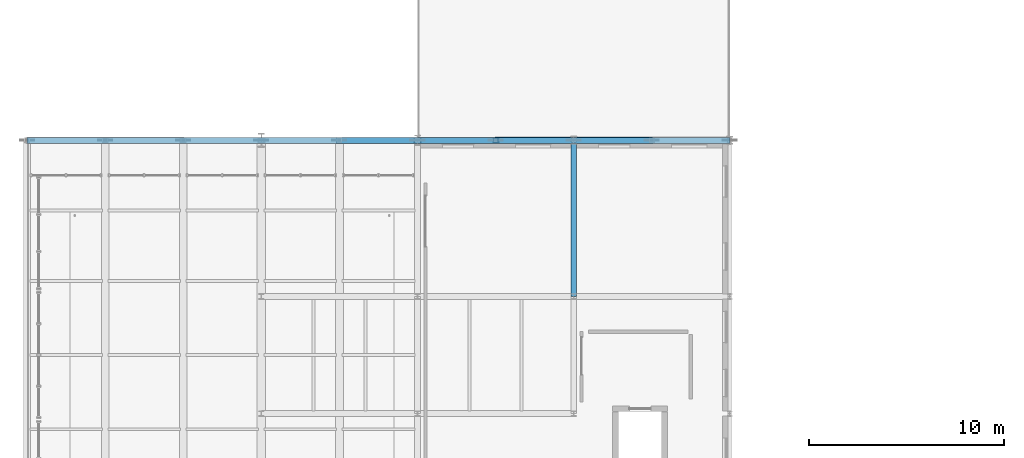
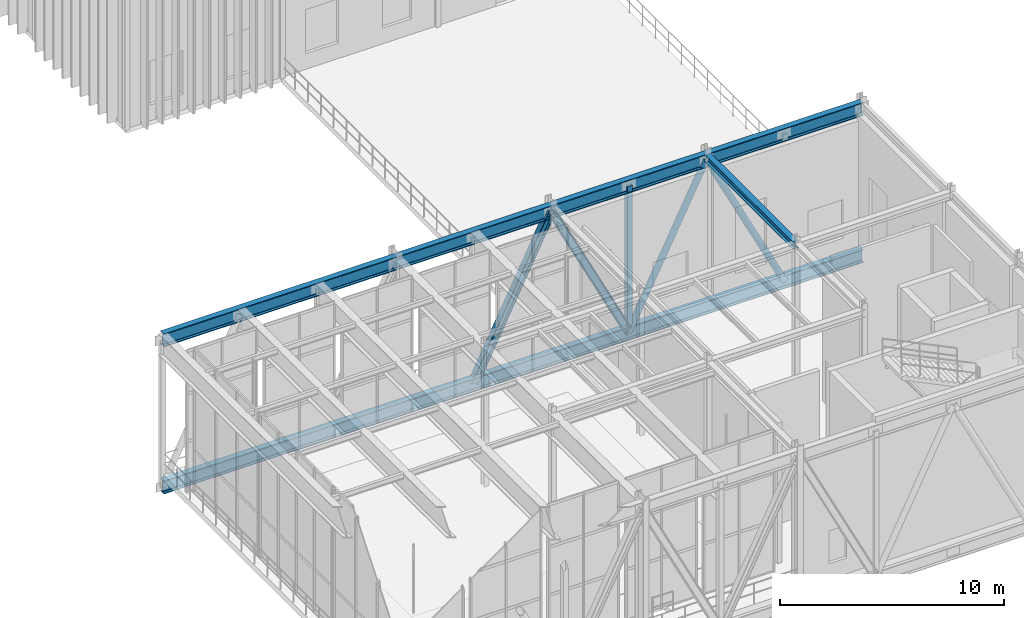
# One storey, part 34 of 138: 7 members, 1 beam.
"""IFC4 building model written with IfcOpenShell, lengths in metres."""

from ifc_helpers import new_model, si_unit, direction, frame, origin, origin_2d, place, context, subcontext, project, spatial, hollow_rectangle, hollow_circle, i_section, extrude, material, material_profile, profile_set, type_object, element, save


model = new_model("IFC4")

# Units and contexts
model_context = context("Model", 3, precision=1e-05, world=origin(), true_north=direction((0.0, 1.0)))
body_context = subcontext(model_context, "Body", "Model", "MODEL_VIEW")
ifc_project = project(units=[si_unit("LENGTHUNIT", "METRE"), si_unit("AREAUNIT", "SQUARE_METRE"), si_unit("VOLUMEUNIT", "CUBIC_METRE"), si_unit("PLANEANGLEUNIT", "RADIAN"), si_unit("MASSUNIT", "GRAM", prefix="KILO")], contexts=[model_context])

# Site, building, storey
site_placement = place(None, origin())
site = spatial("IfcSite", under=ifc_project, at=site_placement, CompositionType="ELEMENT")
building_placement = place(site_placement, origin())
building = spatial("IfcBuilding", under=site, at=building_placement, Name="Sundkrona Museum", CompositionType="ELEMENT")
storey_placement = place(building_placement, frame((0.0, 0.0, 9.60009765625)))
storey = spatial("IfcBuildingStorey", under=building, at=storey_placement, Name="L02", CompositionType="ELEMENT", Elevation=9.60009765625)

# Beam
ifc_material_1 = material(Name="Steel S355J2", Category="steel")
ifc_material_profile_1 = material_profile(ifc_material_1, i_section(OverallWidth=0.300048828125, OverallDepth=0.389892578125, WebThickness=0.010986328125, FlangeThickness=0.01904296875, FilletRadius=0.027099609375, at=origin_2d()), Name="HEA 400")
ifc_profile_set_1 = profile_set([ifc_material_profile_1], Name="Steel S355J2")
beam_type = type_object("IfcBeamType", Name="B-HEA400", PredefinedType="BEAM", material=ifc_profile_set_1)
beam_placement = place(storey_placement, frame((32.0, 46.0, 7.47998046875), z_axis=(0.0, 1.0, 0.0), x_axis=(-1.0, 0.0, 0.0)))
element("IfcBeam", 1, at=beam_placement, inside=storey, type_object=beam_type, Name="L02 Girder Y-1278", PredefinedType="BEAM", context=body_context, shape_type="SweptSolid", body=[
    extrude(i_section(OverallWidth=0.300048828125, OverallDepth=0.389892578125, WebThickness=0.010986328125, FlangeThickness=0.01904296875, FilletRadius=0.027099609375, at=origin_2d()), origin(), (0.0, 0.0, 1.0), 8.0),
])

# Members
ifc_material_2 = material(Name="Steel S460M", Category="steel")
ifc_material_profile_2 = material_profile(ifc_material_2, hollow_circle(Radius=0.161865234375, WallThickness=0.01611328125, at=origin_2d()), Name="CHS 323.9x16.0")
ifc_profile_set_2 = profile_set([ifc_material_profile_2], Name="Steel S460M")
member_type_1 = type_object("IfcMemberType", Name="ST-CHS324", PredefinedType="STRUT", material=ifc_profile_set_2)
for number, where, z_axis, x_axis, name in (
    (2, (28.0, 54.0, -0.68017578125), (0.4472135955, 0.0, 0.894427191), (0.0, 1.0, 0.0), "TRS-1 Cantilever Transfer Truss N Web Diagonal 7"),
    (3, (32.0, 54.0, 7.31982421875), (0.4472135955, 0.0, -0.894427191), (0.0, 1.0, 0.0), "TRS-1 Cantilever Transfer Truss N Web Diagonal 8"),
):
    element("IfcMember", number, at=place(storey_placement, frame(where, z_axis=z_axis, x_axis=x_axis)), inside=storey, type_object=member_type_1, Name=name, PredefinedType="STRUT", context=body_context, shape_type="SweptSolid", body=[
        extrude(hollow_circle(Radius=0.161865234375, WallThickness=0.01611328125, at=origin_2d()), origin(), (0.0, 0.0, 1.0), 8.9443359375),
    ])
ifc_material_profile_3 = material_profile(ifc_material_2, i_section(OverallWidth=0.30810546875, OverallDepth=0.39501953125, WebThickness=0.02099609375, FlangeThickness=0.0400390625, FilletRadius=0.027099609375, at=origin_2d()), Name="HEM 360")
ifc_profile_set_3 = profile_set([ifc_material_profile_3], Name="Steel S460M")
member_type_2 = type_object("IfcMemberType", Name="ST-HEM360", PredefinedType="STRUT", material=ifc_profile_set_3)
for number, where, z_axis, x_axis, name in (
    (4, (20.0, 54.0, -0.68017578125), (0.4472135955, 0.0, 0.894427191), (0.0, 1.0, 0.0), "TRS-1 Cantilever Transfer Truss N Web Diagonal 5"),
    (5, (24.0, 54.0, 7.31982421875), (0.4472135955, 0.0, -0.894427191), (0.0, 1.0, 0.0), "TRS-1 Cantilever Transfer Truss N Web Diagonal 6"),
):
    element("IfcMember", number, at=place(storey_placement, frame(where, z_axis=z_axis, x_axis=x_axis)), inside=storey, type_object=member_type_2, Name=name, PredefinedType="STRUT", context=body_context, shape_type="SweptSolid", body=[
        extrude(i_section(OverallWidth=0.30810546875, OverallDepth=0.39501953125, WebThickness=0.02099609375, FlangeThickness=0.0400390625, FilletRadius=0.027099609375, at=origin_2d()), origin(), (0.0, 0.0, 1.0), 8.9443359375),
    ])
ifc_material_profile_4 = material_profile(ifc_material_2, hollow_rectangle(XDim=0.25, YDim=0.25, WallThickness=0.012451171875, at=origin_2d()), Name="SHS 250x250x12.5")
ifc_profile_set_4 = profile_set([ifc_material_profile_4], Name="Steel S460M")
member_type_3 = type_object("IfcMemberType", Name="ST-SHS250", PredefinedType="STRUT", material=ifc_profile_set_4)
member_placement = place(storey_placement, frame((28.0, 54.0, -0.68017578125), z_axis=(0.0, 0.0, 1.0), x_axis=(1.0, 0.0, 0.0)))
element("IfcMember", 6, at=member_placement, inside=storey, type_object=member_type_3, Name="TRS-1 Cantilever Transfer Truss N Vertical Post 7", PredefinedType="STRUT", context=body_context, shape_type="SweptSolid", body=[
    extrude(hollow_rectangle(XDim=0.25, YDim=0.25, WallThickness=0.012451171875, at=origin_2d()), origin(), (0.0, 0.0, 1.0), 8.0),
])
ifc_material_profile_5 = material_profile(ifc_material_2, i_section(OverallWidth=0.303955078125, OverallDepth=0.716064453125, WebThickness=0.02099609375, FlangeThickness=0.0400390625, FilletRadius=0.027099609375, at=origin_2d()), Name="HEM 700")
ifc_profile_set_5 = profile_set([ifc_material_profile_5], Name="Steel S460M")
member_type_4 = type_object("IfcMemberType", Name="TC-HEM700", PredefinedType="CHORD", material=ifc_profile_set_5)
for number, where, z_axis, x_axis, name in (
    (7, (4.0, 54.0, -0.68017578125), (1.0, 0.0, 0.0), (0.0, 1.0, 0.0), "TRS-1 Cantilever Transfer Truss N Continuous Bottom Chord"),
    (8, (4.0, 54.0, 7.31982421875), (1.0, 0.0, 0.0), (0.0, 1.0, 0.0), "TRS-1 Cantilever Transfer Truss N Continuous Top Chord"),
):
    element("IfcMember", number, at=place(storey_placement, frame(where, z_axis=z_axis, x_axis=x_axis)), inside=storey, type_object=member_type_4, Name=name, PredefinedType="CHORD", context=body_context, shape_type="SweptSolid", body=[
        extrude(i_section(OverallWidth=0.303955078125, OverallDepth=0.716064453125, WebThickness=0.02099609375, FlangeThickness=0.0400390625, FilletRadius=0.027099609375, at=origin_2d()), origin(), (0.0, 0.0, 1.0), 36.0),
    ])

save(model, "model.ifc")
